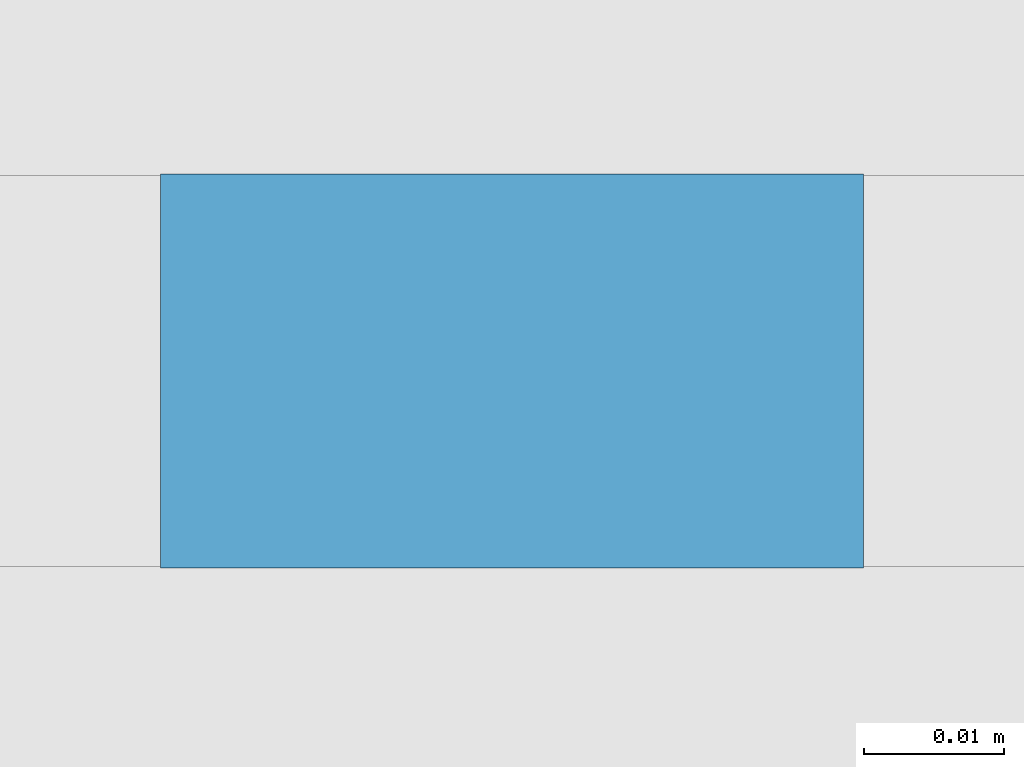
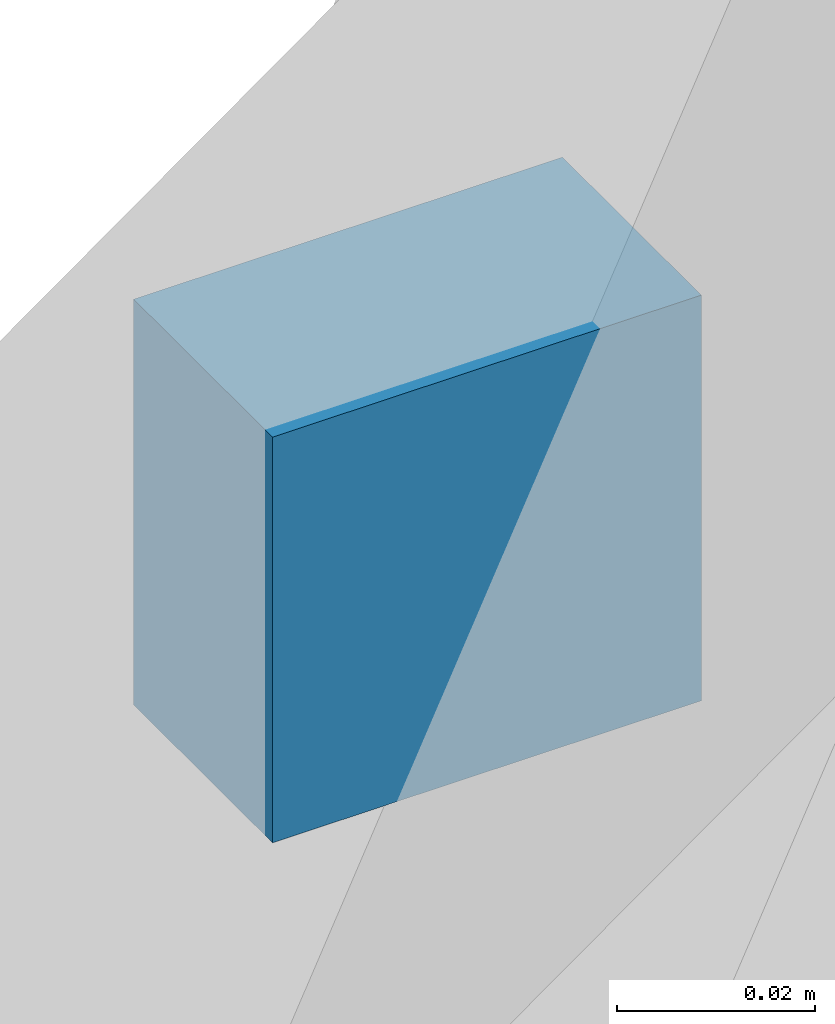
# One storey, part 22 of 26: 1 discrete accessory, 1 element without a shape of its own.
"""IFC4 building model written with IfcOpenShell, lengths in metres."""

from ifc_helpers import new_model, si_unit, direction, frame, origin, origin_2d, place, context, subcontext, project, spatial, rectangle, extrude, material, type_object, element, aggregate, save


model = new_model("IFC4")

# Units and contexts
model_context = context("Model", 3, precision=1e-05, world=origin(), true_north=direction((0.0, 1.0)))
body_context = subcontext(model_context, "Body", "Model", "MODEL_VIEW")
ifc_project = project(units=[si_unit("LENGTHUNIT", "METRE"), si_unit("AREAUNIT", "SQUARE_METRE"), si_unit("VOLUMEUNIT", "CUBIC_METRE"), si_unit("PLANEANGLEUNIT", "RADIAN"), si_unit("MASSUNIT", "GRAM", prefix="KILO")], contexts=[model_context])

# Site, building, storey
site_placement = place(None, origin())
site = spatial("IfcSite", under=ifc_project, at=site_placement, CompositionType="ELEMENT")
building_placement = place(site_placement, origin())
building = spatial("IfcBuilding", under=site, at=building_placement, Name="Tessera Arch", CompositionType="ELEMENT")
storey_placement = place(building_placement, frame((0.0, 0.0, 96.800048828125)))
storey = spatial("IfcBuildingStorey", under=building, at=storey_placement, Name="L22", CompositionType="ELEMENT", Elevation=96.800048828125)

# Curtain wall, discrete accessory
ifc_material = material(Name="CW3 curtain wall")
curtain_wall_type = type_object("IfcCurtainWallType", Name="CW3 curtain wall", PredefinedType="NOTDEFINED", material=ifc_material)
curtain_wall_placement = place(storey_placement, origin())
curtain_wall = element("IfcCurtainWall", 1, at=curtain_wall_placement, inside=storey, type_object=curtain_wall_type, Name="CW3 curtain wall N54.0/3 L22", PredefinedType="NOTDEFINED")
discrete_accessory_placement = place(storey_placement, frame((12.989013671875, 54.0439453125, 1.0537109375), z_axis=(0.0, 0.0, 1.0), x_axis=(-1.0, 0.0, 0.0)))
discrete_accessory = element("IfcDiscreteAccessory", 2, at=discrete_accessory_placement, Name="Glazing bracket", PredefinedType="BRACKET", context=body_context, shape_type="SweptSolid", body=[
    extrude(rectangle(XDim=0.050048828125, YDim=0.028076171875, at=origin_2d()), origin(), (0.0, 0.0, 1.0), 0.050048828125),
])
aggregate(curtain_wall, [discrete_accessory])

save(model, "model.ifc")
